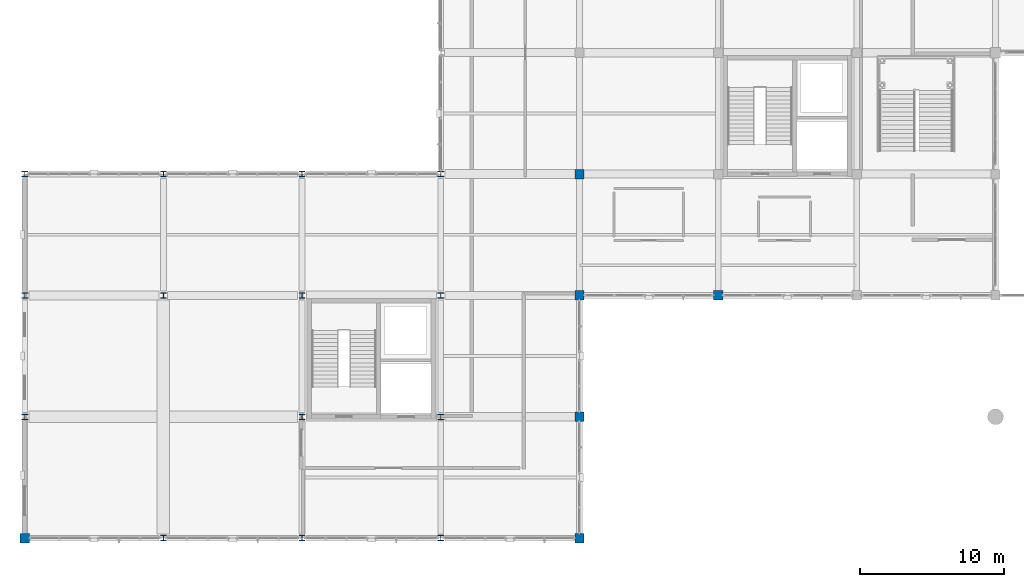
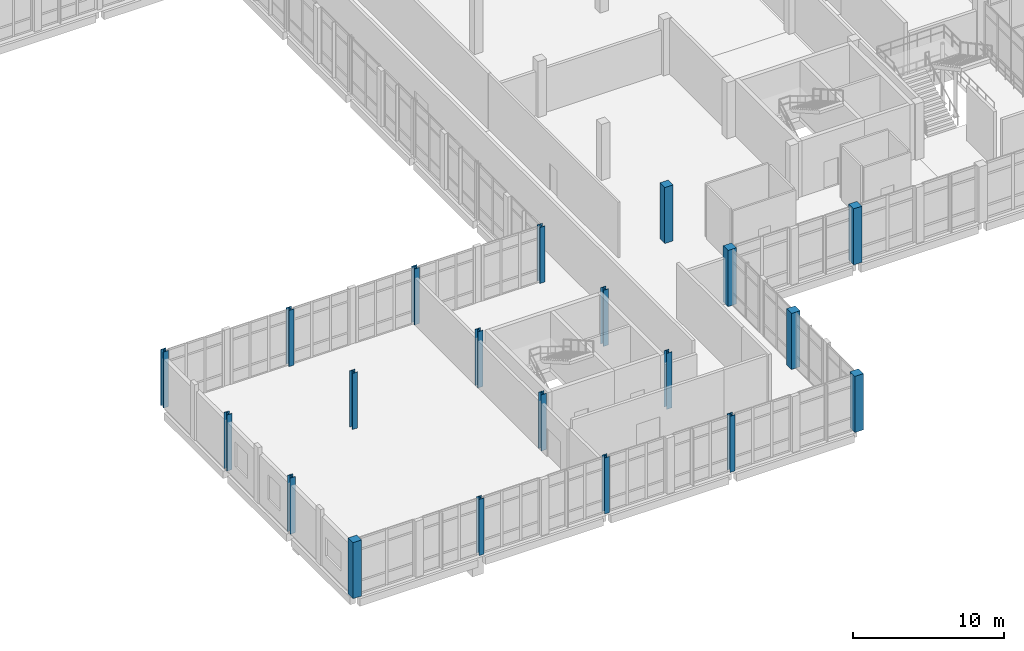
# One storey, part 1 of 102: 20 columns.
"""IFC4 building model written with IfcOpenShell, lengths in metres."""

import ifcopenshell
import ifcopenshell.guid

model = None  # the IFC model being written
_history = None  # IfcOwnerHistory: only IFC2X3 demands one
_inside = {}  # id of a spatial element -> (the spatial element, [elements in it])
_under = {}  # id of a project, library or spatial element -> (it, [spatial elements below it])
_declared = {}  # id of a project -> (the project, [libraries it declares])
_typed = {}  # id of a type object -> (the type object, [elements of that type])
_made_of = {}  # id of a material, layer set ... -> (it, [elements and type objects made of it])


def new_model(schema):
    """Start an empty IFC model of exactly this schema.

    Asked for "IFC4X3", IfcOpenShell would pick the latest addendum, in which some entities
    have other attributes; the version numbers below select the first issue.
    IFC2X3 requires an IfcOwnerHistory on every rooted entity: one is made here for all.
    """
    global model, _history
    if schema == "IFC4X3":
        model = ifcopenshell.file(schema_version=(4, 3, 0, 0))
    else:
        model = ifcopenshell.file(schema=schema)
    _inside.clear()
    _under.clear()
    _declared.clear()
    _typed.clear()
    _made_of.clear()
    _history = None
    if model.schema == "IFC2X3":
        org = make("IfcOrganization", Name="unknown")
        user = make(
            "IfcPersonAndOrganization",
            ThePerson=make("IfcPerson", FamilyName="unknown"),
            TheOrganization=org,
        )
        app = make(
            "IfcApplication",
            ApplicationDeveloper=org,
            Version="unknown",
            ApplicationFullName="unknown",
            ApplicationIdentifier="unknown",
        )
        _history = make(
            "IfcOwnerHistory",
            OwningUser=user,
            OwningApplication=app,
            ChangeAction="ADDED",
            CreationDate=0,
        )
    return model


def make(cls, **values):
    """One entity of the class cls with the attributes given. An attribute that is None is left unset."""
    return model.create_entity(
        cls, **{name: value for name, value in values.items() if value is not None}
    )


def rooted(cls, **values):
    """An entity with a GlobalId (a new one), such as an element, a storey or a relation."""
    return make(cls, GlobalId=ifcopenshell.guid.new(), OwnerHistory=_history, **values)


def si_unit(unit_type, name, prefix=None):
    """IfcSIUnit, for example si_unit("LENGTHUNIT", "METRE", prefix="MILLI")."""
    return make("IfcSIUnit", UnitType=unit_type, Prefix=prefix, Name=name)


def assignment(units):
    """IfcUnitAssignment: the units of a project."""
    return None if units is None else make("IfcUnitAssignment", Units=units)


def point(xyz):
    """IfcCartesianPoint."""
    return None if xyz is None else make("IfcCartesianPoint", Coordinates=xyz)


def direction(xyz):
    """IfcDirection."""
    return None if xyz is None else make("IfcDirection", DirectionRatios=xyz)


def frame(location, z_axis=None, x_axis=None):
    """IfcAxis2Placement3D, a coordinate frame: its origin and axes. An axis left out is left unset."""
    return make(
        "IfcAxis2Placement3D",
        Location=point(location),
        Axis=direction(z_axis),
        RefDirection=direction(x_axis),
    )


def frame_2d(location, x_axis=None):
    """IfcAxis2Placement2D, a coordinate frame in the plane: its origin and x axis."""
    return make(
        "IfcAxis2Placement2D", Location=point(location), RefDirection=direction(x_axis)
    )


def origin():
    """The frame at (0, 0, 0) with its axes left unset."""
    return frame((0.0, 0.0, 0.0))


def origin_with_axes():
    """The frame at (0, 0, 0) with the z axis (0, 0, 1) and the x axis (1, 0, 0) written out."""
    return frame((0.0, 0.0, 0.0), z_axis=(0.0, 0.0, 1.0), x_axis=(1.0, 0.0, 0.0))


def origin_2d():
    """The frame at (0, 0) in the plane with its x axis left unset."""
    return frame_2d((0.0, 0.0))


def place(relative_to, where):
    """IfcLocalPlacement: puts the frame where relative to a parent placement (None: the world)."""
    return make(
        "IfcLocalPlacement", PlacementRelTo=relative_to, RelativePlacement=where
    )


def context(
    kind, dimensions, precision=None, world=None, true_north=None, identifier=None
):
    """IfcGeometricRepresentationContext, for example the 3D "Model" context."""
    return make(
        "IfcGeometricRepresentationContext",
        ContextIdentifier=identifier,
        ContextType=kind,
        CoordinateSpaceDimension=dimensions,
        Precision=precision,
        WorldCoordinateSystem=world,
        TrueNorth=true_north,
    )


def subcontext(parent, identifier, kind, view, scale=None):
    """IfcGeometricRepresentationSubContext, for example "Body" below "Model"."""
    return make(
        "IfcGeometricRepresentationSubContext",
        ContextIdentifier=identifier,
        ContextType=kind,
        ParentContext=parent,
        TargetScale=scale,
        TargetView=view,
    )


def project(units=None, contexts=None):
    """IfcProject with its units and contexts."""
    return rooted(
        "IfcProject",
        Name="project",
        RepresentationContexts=contexts,
        UnitsInContext=assignment(units),
    )


def spatial(cls, under=None, at=None, **own):
    """A site, building, storey or space (cls), placed at a placement, below another one or the project."""
    s = rooted(cls, ObjectPlacement=at, **own)
    if under is not None:
        _under.setdefault(under.id(), (under, []))[1].append(s)
    return s


def profile(cls, at=None, kind="AREA", **sizes):
    """A parametric profile (cls). Its sizes go by their IFC names, for example OverallWidth=200.0."""
    return make(cls, ProfileType=kind, Position=at, **sizes)


def rectangle(**sizes):
    """IfcRectangleProfileDef."""
    return profile("IfcRectangleProfileDef", **sizes)


def i_section(**sizes):
    """IfcIShapeProfileDef."""
    return profile("IfcIShapeProfileDef", **sizes)


def extrude(swept, where, along, depth):
    """IfcExtrudedAreaSolid: the profile swept, set in the frame where, extruded along a direction by depth."""
    return make(
        "IfcExtrudedAreaSolid",
        SweptArea=swept,
        Position=where,
        ExtrudedDirection=direction(along),
        Depth=depth,
    )


def shape(context_of_items, identifier, shape_type, items):
    """IfcShapeRepresentation: the items that make up one representation, for example the "Body"."""
    return make(
        "IfcShapeRepresentation",
        ContextOfItems=context_of_items,
        RepresentationIdentifier=identifier,
        RepresentationType=shape_type,
        Items=items,
    )


def material(Name=None, Category=None):
    """IfcMaterial."""
    return make("IfcMaterial", Name=Name, Category=Category)


def material_profile(
    of_material, cross_section, Name=None, Category=None, Priority=None
):
    """IfcMaterialProfile: a cross section and its material."""
    return make(
        "IfcMaterialProfile",
        Name=Name,
        Material=of_material,
        Profile=cross_section,
        Priority=Priority,
        Category=Category,
    )


def profile_set(profiles, Name=None, composite=None):
    """IfcMaterialProfileSet."""
    return make(
        "IfcMaterialProfileSet",
        Name=Name,
        MaterialProfiles=profiles,
        CompositeProfile=composite,
    )


def made_of(thing, what):
    """Note that an element or type object is made of a material, layer set ...; save() writes the relation."""
    if what is not None:
        _made_of.setdefault(what.id(), (what, []))[1].append(thing)
    return thing


def type_object(cls, material=None, **own):
    """A type object (cls), such as IfcWallType, which elements share."""
    return made_of(rooted(cls, **own), material)


def element(
    cls,
    number,
    at=None,
    inside=None,
    cuts=None,
    type_object=None,
    material=None,
    context=None,
    identifier="Body",
    shape_type=None,
    held_by="IfcProductDefinitionShape",
    body=None,
    shapes=None,
    **own,
):
    """One element of the class cls, such as IfcWall. Its Tag is "e" and its number.

    at: its placement. inside: the storey or other place that contains it. cuts: it is an
    opening in that element (IfcRelVoidsElement). A single representation is given by context,
    identifier, shape_type and body (its items); several are given by shapes. held_by: the class
    of the entity that holds the representations. save() writes the other relations.
    """
    e = rooted(cls, Tag="e%d" % number, ObjectPlacement=at, **own)
    if body is not None:
        shapes = [shape(context, identifier, shape_type, body)]
    if shapes is not None:
        e.Representation = make(held_by, Representations=shapes)
    if inside is not None:
        _inside.setdefault(inside.id(), (inside, []))[1].append(e)
    if cuts is not None:
        rooted(
            "IfcRelVoidsElement", RelatingBuildingElement=cuts, RelatedOpeningElement=e
        )
    if type_object is not None:
        _typed.setdefault(type_object.id(), (type_object, []))[1].append(e)
    return made_of(e, material)


def aggregate(whole, parts):
    """IfcRelAggregates: a whole, such as a stair, and the parts it consists of."""
    return rooted("IfcRelAggregates", RelatingObject=whole, RelatedObjects=parts)


def save(model, path):
    """Write the relations noted so far, then the file.

    IfcRelAggregates (storeys below a building ...), IfcRelContainedInSpatialStructure (elements
    in a storey), IfcRelDefinesByType, IfcRelAssociatesMaterial and IfcRelDeclares: one each for
    every whole, place, type object, material and project.
    """
    for whole, parts in _under.values():
        aggregate(whole, parts)
    for where, things in _inside.values():
        rooted(
            "IfcRelContainedInSpatialStructure",
            RelatedElements=things,
            RelatingStructure=where,
        )
    for kind, things in _typed.values():
        rooted("IfcRelDefinesByType", RelatedObjects=things, RelatingType=kind)
    for what, things in _made_of.values():
        rooted("IfcRelAssociatesMaterial", RelatedObjects=things, RelatingMaterial=what)
    for by, libraries in _declared.values():
        rooted("IfcRelDeclares", RelatingContext=by, RelatedDefinitions=libraries)
    model.write(path)


model = new_model("IFC4")

# Units and contexts
model_context = context("Model", 3, precision=1e-05, world=origin(), true_north=direction((0.0, 1.0)))
body_context = subcontext(model_context, "Body", "Model", "MODEL_VIEW")
ifc_project = project(units=[si_unit("LENGTHUNIT", "METRE"), si_unit("AREAUNIT", "SQUARE_METRE"), si_unit("VOLUMEUNIT", "CUBIC_METRE"), si_unit("PLANEANGLEUNIT", "RADIAN"), si_unit("MASSUNIT", "GRAM", prefix="KILO")], contexts=[model_context])

# Site, building, storey
site_placement = place(None, origin())
site = spatial("IfcSite", under=ifc_project, at=site_placement, CompositionType="ELEMENT")
building_placement = place(site_placement, origin())
building = spatial("IfcBuilding", under=site, at=building_placement, Name="Lornevale Opera House", CompositionType="ELEMENT")
storey_placement = place(building_placement, frame((0.0, 0.0, 5.39990234375)))
storey = spatial("IfcBuildingStorey", under=building, at=storey_placement, Name="L02", CompositionType="ELEMENT", Elevation=5.39990234375)

# Columns
ifc_material_1 = material(Name="Concrete 40 MPa (CSA A23.1 C-1)", Category="concrete")
ifc_material_profile_1 = material_profile(ifc_material_1, rectangle(XDim=0.64990234375, YDim=0.64990234375, at=origin_2d()), Name="RC650x650")
ifc_profile_set_1 = profile_set([ifc_material_profile_1], Name="Concrete 40 MPa (CSA A23.1 C-1)")
column_type_1 = type_object("IfcColumnType", Name="Concrete Column 650x650", PredefinedType="COLUMN", material=ifc_profile_set_1)
for number, where, z_axis, x_axis, name in (
    (1, (38.39990234375, 0.0, 0.0), (0.0, 0.0, 1.0), (1.0, 0.0, 0.0), "Concrete Column 650x650 0218"),
    (2, (38.39990234375, 8.39990234375, 0.0), (0.0, 0.0, 1.0), (1.0, 0.0, 0.0), "Concrete Column 650x650 0223"),
    (3, (38.39990234375, 16.800048828125, 0.0), (0.0, 0.0, 1.0), (1.0, 0.0, 0.0), "Concrete Column 650x650 0228"),
):
    element("IfcColumn", number, at=place(storey_placement, frame(where, z_axis=z_axis, x_axis=x_axis)), inside=storey, type_object=column_type_1, Name=name, PredefinedType="COLUMN", context=body_context, shape_type="SweptSolid", body=[
        extrude(rectangle(XDim=0.64990234375, YDim=0.64990234375, at=origin_2d()), origin(), (0.0, 0.0, 1.0), 4.5400390625),
    ])
column_1_placement = place(storey_placement, frame((38.39990234375, 25.199951171875, 0.0), z_axis=(0.0, 0.0, 1.0), x_axis=(1.0, 0.0, 0.0)))
element("IfcColumn", 4, at=column_1_placement, inside=storey, type_object=column_type_1, Name="Concrete Column 650x650 0233", PredefinedType="COLUMN", context=body_context, shape_type="SweptSolid", body=[
    extrude(rectangle(XDim=0.64990234375, YDim=0.64990234375, at=origin_2d()), origin(), (0.0, 0.0, 1.0), 4.530029296875),
])
column_2_placement = place(storey_placement, frame((48.0, 16.800048828125, 0.0), z_axis=(0.0, 0.0, 1.0), x_axis=(1.0, 0.0, 0.0)))
element("IfcColumn", 5, at=column_2_placement, inside=storey, type_object=column_type_1, Name="Concrete Column 650x650 0292", PredefinedType="COLUMN", context=body_context, shape_type="SweptSolid", body=[
    extrude(rectangle(XDim=0.64990234375, YDim=0.64990234375, at=origin_2d()), origin(), (0.0, 0.0, 1.0), 4.5400390625),
])
ifc_material_2 = material(Name="Precast Concrete 40 MPa (CSA A23.1 C-1)", Category="concrete")
ifc_material_profile_2 = material_profile(ifc_material_2, rectangle(XDim=0.64990234375, YDim=0.64990234375, at=origin_2d()), Name="RC650x650")
ifc_profile_set_2 = profile_set([ifc_material_profile_2], Name="Precast Concrete 40 MPa (CSA A23.1 C-1)")
column_type_2 = type_object("IfcColumnType", Name="Postmodern Sandstone Pilaster 650x650", PredefinedType="PILASTER", material=ifc_profile_set_2)
column_3_placement = place(storey_placement, origin_with_axes())
element("IfcColumn", 6, at=column_3_placement, inside=storey, type_object=column_type_2, Name="Postmodern Sandstone Pilaster 650x650 0004", PredefinedType="PILASTER", context=body_context, shape_type="SweptSolid", body=[
    extrude(rectangle(XDim=0.64990234375, YDim=0.64990234375, at=origin_2d()), origin(), (0.0, 0.0, 1.0), 4.5400390625),
])
ifc_material_3 = material(Name="Structural Steel CSA G40.21 Grade 350W (350 MPa)", Category="steel")
ifc_material_profile_3 = material_profile(ifc_material_3, i_section(OverallWidth=0.39404296875, OverallDepth=0.375, WebThickness=0.0205078125, FlangeThickness=0.032958984375, at=origin_2d()), Name="W360x216")
ifc_profile_set_3 = profile_set([ifc_material_profile_3], Name="Structural Steel CSA G40.21 Grade 350W (350 MPa)")
column_type_3 = type_object("IfcColumnType", Name="Steel Pavilion Column W360x216", PredefinedType="COLUMN", material=ifc_profile_set_3)
for number, where, z_axis, x_axis, name in (
    (7, (0.0, 8.39990234375, 0.0), (0.0, 0.0, 1.0), (1.0, 0.0, 0.0), "Steel Pavilion Column W360x216 0009"),
    (8, (0.0, 16.800048828125, 0.0), (0.0, 0.0, 1.0), (1.0, 0.0, 0.0), "Steel Pavilion Column W360x216 0014"),
    (9, (0.0, 25.199951171875, 0.0), (0.0, 0.0, 1.0), (1.0, 0.0, 0.0), "Steel Pavilion Column W360x216 0019"),
    (10, (9.60009765625, 0.0, 0.0), (0.0, 0.0, 1.0), (1.0, 0.0, 0.0), "Steel Pavilion Column W360x216 0057"),
    (11, (9.60009765625, 16.800048828125, 0.0), (0.0, 0.0, 1.0), (1.0, 0.0, 0.0), "Steel Pavilion Column W360x216 0064"),
    (12, (9.60009765625, 25.199951171875, 0.0), (0.0, 0.0, 1.0), (1.0, 0.0, 0.0), "Steel Pavilion Column W360x216 0069"),
    (13, (19.199951171875, 0.0, 0.0), (0.0, 0.0, 1.0), (1.0, 0.0, 0.0), "Steel Pavilion Column W360x216 0104"),
    (14, (19.199951171875, 8.39990234375, 0.0), (0.0, 0.0, 1.0), (1.0, 0.0, 0.0), "Steel Pavilion Column W360x216 0109"),
    (15, (19.199951171875, 16.800048828125, 0.0), (0.0, 0.0, 1.0), (1.0, 0.0, 0.0), "Steel Pavilion Column W360x216 0114"),
    (16, (19.199951171875, 25.199951171875, 0.0), (0.0, 0.0, 1.0), (1.0, 0.0, 0.0), "Steel Pavilion Column W360x216 0119"),
    (17, (28.800048828125, 0.0, 0.0), (0.0, 0.0, 1.0), (1.0, 0.0, 0.0), "Steel Pavilion Column W360x216 0157"),
    (18, (28.800048828125, 8.39990234375, 0.0), (0.0, 0.0, 1.0), (1.0, 0.0, 0.0), "Steel Pavilion Column W360x216 0162"),
    (19, (28.800048828125, 16.800048828125, 0.0), (0.0, 0.0, 1.0), (1.0, 0.0, 0.0), "Steel Pavilion Column W360x216 0167"),
):
    element("IfcColumn", number, at=place(storey_placement, frame(where, z_axis=z_axis, x_axis=x_axis)), inside=storey, type_object=column_type_3, Name=name, PredefinedType="COLUMN", context=body_context, shape_type="SweptSolid", body=[
        extrude(i_section(OverallWidth=0.39404296875, OverallDepth=0.375, WebThickness=0.0205078125, FlangeThickness=0.032958984375, at=origin_2d()), origin(), (0.0, 0.0, 1.0), 4.5400390625),
    ])
column_4_placement = place(storey_placement, frame((28.800048828125, 25.199951171875, 0.0), z_axis=(0.0, 0.0, 1.0), x_axis=(1.0, 0.0, 0.0)))
element("IfcColumn", 20, at=column_4_placement, inside=storey, type_object=column_type_3, Name="Steel Pavilion Column W360x216 0172", PredefinedType="COLUMN", context=body_context, shape_type="SweptSolid", body=[
    extrude(i_section(OverallWidth=0.39404296875, OverallDepth=0.375, WebThickness=0.0205078125, FlangeThickness=0.032958984375, at=origin_2d()), origin(), (0.0, 0.0, 1.0), 4.530029296875),
])

save(model, "model.ifc")
